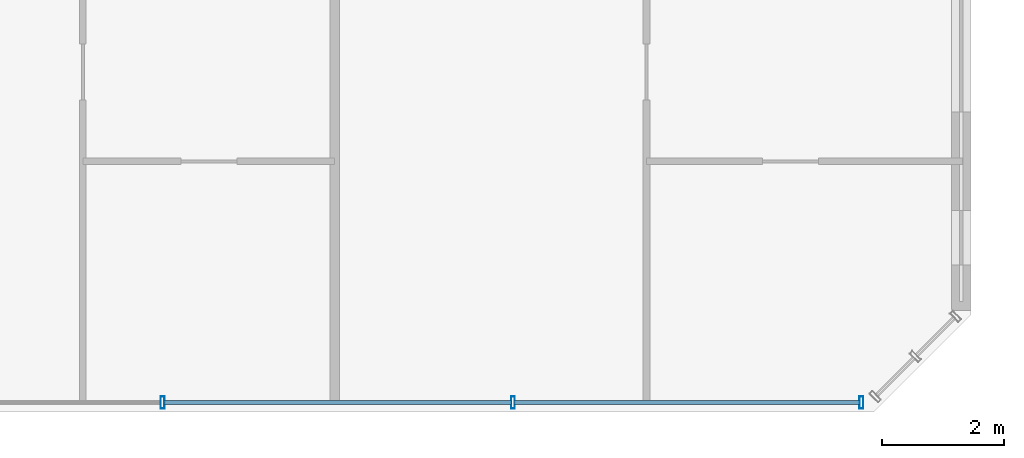
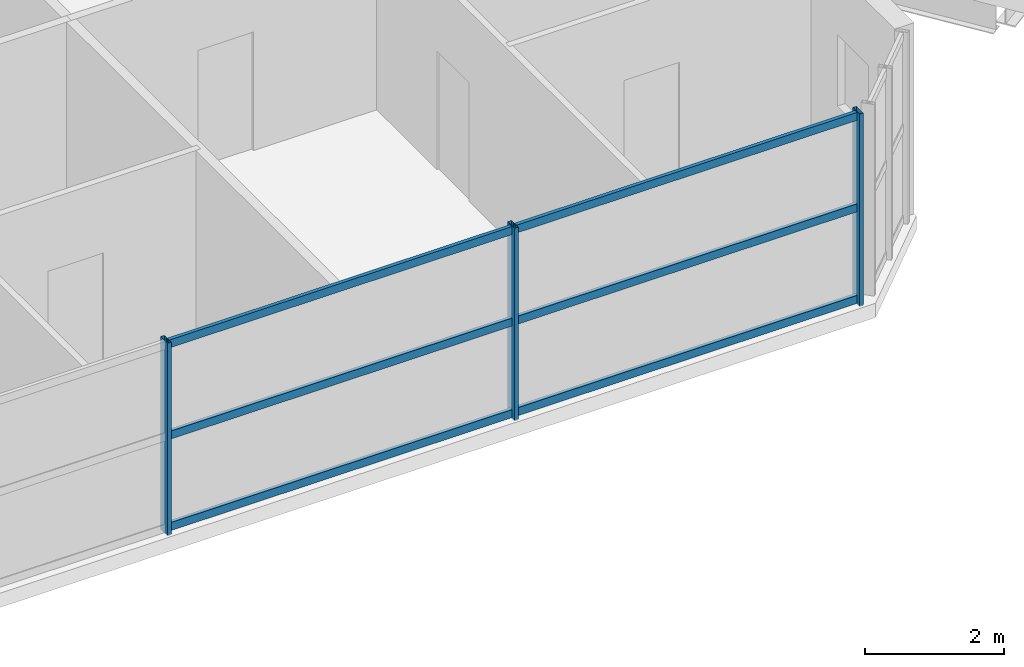
# One storey, part 8 of 29: 9 members, 1 element without a shape of its own.
"""IFC4 building model written with IfcOpenShell, lengths in metres."""

from ifc_helpers import new_model, si_unit, direction, frame, origin, origin_2d, place, context, subcontext, project, spatial, hollow_rectangle, extrude, source, transform, mapped, material, material_profile, profile_set, type_object, element, aggregate, save


model = new_model("IFC4")

# Units and contexts
model_context = context("Model", 3, precision=1e-05, world=origin(), true_north=direction((0.0, 1.0)))
body_context = subcontext(model_context, "Body", "Model", "MODEL_VIEW")
ifc_project = project(units=[si_unit("LENGTHUNIT", "METRE"), si_unit("AREAUNIT", "SQUARE_METRE"), si_unit("VOLUMEUNIT", "CUBIC_METRE"), si_unit("PLANEANGLEUNIT", "RADIAN"), si_unit("MASSUNIT", "GRAM", prefix="KILO")], contexts=[model_context])

# Site, building, storey
site_placement = place(None, origin())
site = spatial("IfcSite", under=ifc_project, at=site_placement, CompositionType="ELEMENT")
building_placement = place(site_placement, origin())
building = spatial("IfcBuilding", under=site, at=building_placement, Name="Tlacorven Tower", CompositionType="ELEMENT")
storey_placement = place(building_placement, frame((0.0, 0.0, 151.5)))
storey = spatial("IfcBuildingStorey", under=building, at=storey_placement, Name="L38", CompositionType="ELEMENT", Elevation=151.5)

# Curtain wall, members
ifc_material_1 = material(Name="Dark solar low-E double glazing in aluminium frame", Category="aluminium")
curtain_wall_type = type_object("IfcCurtainWallType", Name="CW-TWR-MID", PredefinedType="USERDEFINED", material=ifc_material_1)
curtain_wall_placement = place(storey_placement, origin())
curtain_wall = element("IfcCurtainWall", 1, at=curtain_wall_placement, inside=storey, type_object=curtain_wall_type, Name="L38 CW-TWR-MID Curtain Wall 168", ObjectType="UNITISED CURTAIN WALL", PredefinedType="USERDEFINED")
ifc_material_2 = material(Name="Aluminium 6063-T6 anodised", Category="aluminium")
ifc_material_profile_1 = material_profile(ifc_material_2, hollow_rectangle(XDim=0.06005859375, YDim=0.139892578125, WallThickness=0.00390625, at=origin_2d()), Name="ALU TRANSOM 60X140")
ifc_profile_set_1 = profile_set([ifc_material_profile_1], Name="Aluminium 6063-T6 anodised")
member_type_1 = type_object("IfcMemberType", Name="CWT-02", PredefinedType="USERDEFINED", material=ifc_profile_set_1)
shared_shape_1 = source(origin(), body_context, "Body", "SweptSolid", [
    extrude(hollow_rectangle(XDim=0.06005859375, YDim=0.139892578125, WallThickness=0.00390625, at=origin_2d()), origin(), (0.0, 0.0, 1.0), 5.682373046875),
])
member_1_placement = place(storey_placement, frame((50.580810546875, 1.9599609375, 0.070068359375), z_axis=(-1.0, 0.0, 0.0), x_axis=(0.0, -1.0, 0.0)))
member_1 = element("IfcMember", 2, at=member_1_placement, type_object=member_type_1, Name="CW-L38-168 Transom 1", ObjectType="TRANSOM", PredefinedType="USERDEFINED", context=body_context, shape_type="MappedRepresentation", body=[
    mapped(shared_shape_1, transform((0.0, 0.0, 0.0), scale=1.0)),
])
member_2_placement = place(storey_placement, frame((50.580810546875, 1.9599609375, 1.675048828125), z_axis=(-1.0, 0.0, 0.0), x_axis=(0.0, -1.0, 0.0)))
member_2 = element("IfcMember", 3, at=member_2_placement, type_object=member_type_1, Name="CW-L38-168 Transom 2", ObjectType="TRANSOM", PredefinedType="USERDEFINED", context=body_context, shape_type="MappedRepresentation", body=[
    mapped(shared_shape_1, transform((0.0, 0.0, 0.0), scale=1.0)),
])
member_3_placement = place(storey_placement, frame((50.580810546875, 1.9599609375, 3.280029296875), z_axis=(-1.0, 0.0, 0.0), x_axis=(0.0, -1.0, 0.0)))
member_3 = element("IfcMember", 4, at=member_3_placement, type_object=member_type_1, Name="CW-L38-168 Transom 3", ObjectType="TRANSOM", PredefinedType="USERDEFINED", context=body_context, shape_type="MappedRepresentation", body=[
    mapped(shared_shape_1, transform((0.0, 0.0, 0.0), scale=1.0)),
])
shared_shape_2 = source(origin(), body_context, "Body", "SweptSolid", [
    extrude(hollow_rectangle(XDim=0.06005859375, YDim=0.139892578125, WallThickness=0.00390625, at=origin_2d()), origin(), (0.0, 0.0, 1.0), 5.71484375),
])
member_4_placement = place(storey_placement, frame((44.857421875, 1.9599609375, 0.070068359375), z_axis=(-1.0, 0.0, 0.0), x_axis=(0.0, -1.0, 0.0)))
member_4 = element("IfcMember", 5, at=member_4_placement, type_object=member_type_1, Name="CW-L38-168 Transom 4", ObjectType="TRANSOM", PredefinedType="USERDEFINED", context=body_context, shape_type="MappedRepresentation", body=[
    mapped(shared_shape_2, transform((0.0, 0.0, 0.0), scale=1.0)),
])
member_5_placement = place(storey_placement, frame((44.857421875, 1.9599609375, 1.675048828125), z_axis=(-1.0, 0.0, 0.0), x_axis=(0.0, -1.0, 0.0)))
member_5 = element("IfcMember", 6, at=member_5_placement, type_object=member_type_1, Name="CW-L38-168 Transom 5", ObjectType="TRANSOM", PredefinedType="USERDEFINED", context=body_context, shape_type="MappedRepresentation", body=[
    mapped(shared_shape_2, transform((0.0, 0.0, 0.0), scale=1.0)),
])
member_6_placement = place(storey_placement, frame((44.857421875, 1.9599609375, 3.280029296875), z_axis=(-1.0, 0.0, 0.0), x_axis=(0.0, -1.0, 0.0)))
member_6 = element("IfcMember", 7, at=member_6_placement, type_object=member_type_1, Name="CW-L38-168 Transom 6", ObjectType="TRANSOM", PredefinedType="USERDEFINED", context=body_context, shape_type="MappedRepresentation", body=[
    mapped(shared_shape_2, transform((0.0, 0.0, 0.0), scale=1.0)),
])
ifc_material_profile_2 = material_profile(ifc_material_2, hollow_rectangle(XDim=0.06494140625, YDim=0.199951171875, WallThickness=0.00439453125, at=origin_2d()), Name="ALU MULLION 65X200")
ifc_profile_set_2 = profile_set([ifc_material_profile_2], Name="Aluminium 6063-T6 anodised")
member_type_2 = type_object("IfcMemberType", Name="CWM-02", PredefinedType="MULLION", material=ifc_profile_set_2)
shared_shape_3 = source(origin(), body_context, "Body", "SweptSolid", [
    extrude(hollow_rectangle(XDim=0.06494140625, YDim=0.199951171875, WallThickness=0.00439453125, at=origin_2d()), origin(), (0.0, 0.0, 1.0), 3.380126953125),
])
member_7_placement = place(storey_placement, frame((50.601318359375, 1.9599609375, -0.02001953125), z_axis=(0.0, 0.0, 1.0), x_axis=(-1.0, 0.0, 0.0)))
member_7 = element("IfcMember", 8, at=member_7_placement, type_object=member_type_2, Name="CW-L38-168 Mullion 1", PredefinedType="MULLION", context=body_context, shape_type="MappedRepresentation", body=[
    mapped(shared_shape_3, transform((0.0, 0.0, 0.0), scale=1.0)),
])
member_8_placement = place(storey_placement, frame((44.8779296875, 1.9599609375, -0.02001953125), z_axis=(0.0, 0.0, 1.0), x_axis=(-1.0, 0.0, 0.0)))
member_8 = element("IfcMember", 9, at=member_8_placement, type_object=member_type_2, Name="CW-L38-168 Mullion 2", PredefinedType="MULLION", context=body_context, shape_type="MappedRepresentation", body=[
    mapped(shared_shape_3, transform((0.0, 0.0, 0.0), scale=1.0)),
])
member_9_placement = place(storey_placement, frame((39.1220703125, 1.9599609375, -0.02001953125), z_axis=(0.0, 0.0, 1.0), x_axis=(-1.0, 0.0, 0.0)))
member_9 = element("IfcMember", 10, at=member_9_placement, type_object=member_type_2, Name="CW-L38-168 Mullion 3", PredefinedType="MULLION", context=body_context, shape_type="MappedRepresentation", body=[
    mapped(shared_shape_3, transform((0.0, 0.0, 0.0), scale=1.0)),
])
aggregate(curtain_wall, [member_7, member_8, member_9, member_1, member_2, member_3, member_4, member_5, member_6])

save(model, "model.ifc")
